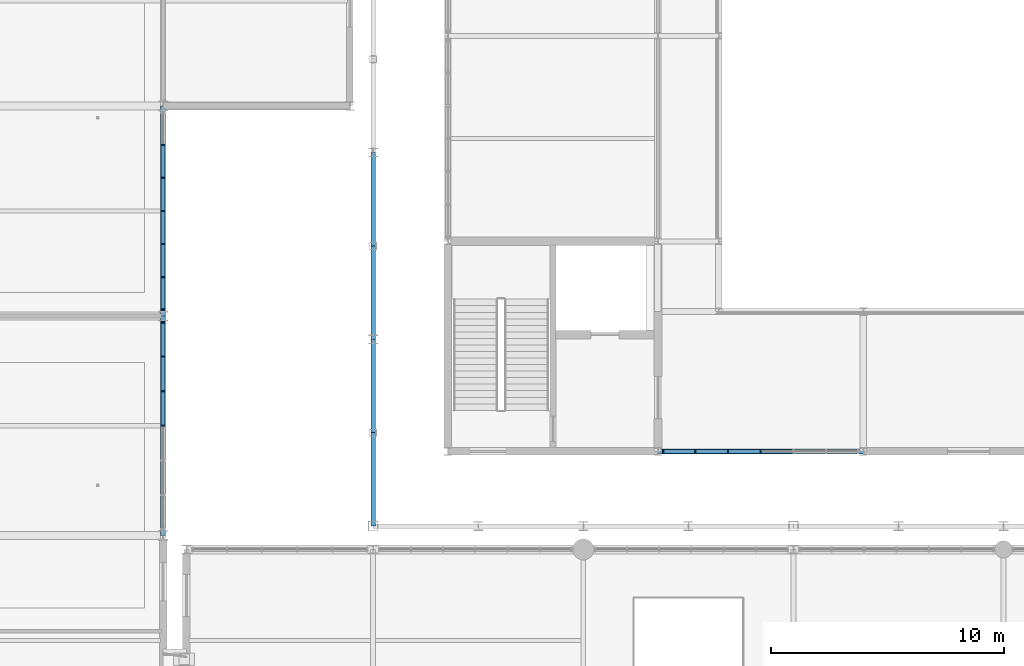
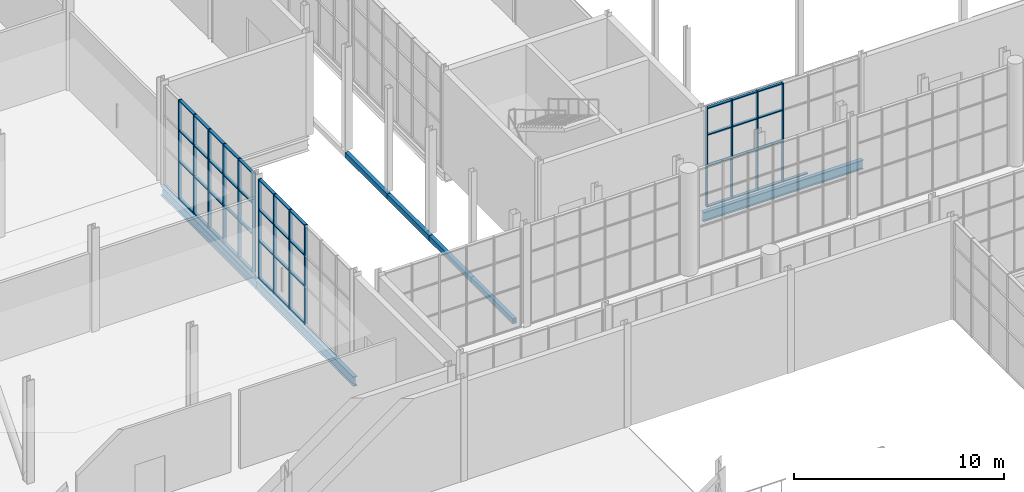
# One storey, part 51 of 159: 59 members, 7 beams, 3 elements without a shape of their own.
"""IFC4 building model written with IfcOpenShell, lengths in metres."""

from ifc_helpers import new_model, si_unit, direction, frame, origin, origin_2d, place, context, subcontext, project, spatial, rectangle, hollow_rectangle, i_section, extrude, material, layer, layer_set, material_profile, profile_set, type_object, element, aggregate, save


model = new_model("IFC4")

# Units and contexts
model_context = context("Model", 3, precision=1e-05, world=origin(), true_north=direction((0.0, 1.0)))
body_context = subcontext(model_context, "Body", "Model", "MODEL_VIEW")
ifc_project = project(units=[si_unit("LENGTHUNIT", "METRE"), si_unit("AREAUNIT", "SQUARE_METRE"), si_unit("VOLUMEUNIT", "CUBIC_METRE"), si_unit("PLANEANGLEUNIT", "RADIAN"), si_unit("MASSUNIT", "GRAM", prefix="KILO")], contexts=[model_context])

# Site, building, storey
site_placement = place(None, origin())
site = spatial("IfcSite", under=ifc_project, at=site_placement, CompositionType="ELEMENT")
building_placement = place(site_placement, origin())
building = spatial("IfcBuilding", under=site, at=building_placement, Name="Cazmaro Siding Exhibition Halls", CompositionType="ELEMENT")
storey_placement = place(building_placement, frame((0.0, 0.0, 6.0)))
storey = spatial("IfcBuildingStorey", under=building, at=storey_placement, Name="L01", CompositionType="ELEMENT", Elevation=6.0)

# Beams
ifc_material_1 = material(Name="Steel ASTM A992 Grade 50", Category="steel")
ifc_material_profile_1 = material_profile(ifc_material_1, i_section(OverallWidth=0.214111328125, OverallDepth=0.549072265625, WebThickness=0.014892578125, FlangeThickness=0.02392578125, at=origin_2d()), Name="W21X93")
ifc_profile_set_1 = profile_set([ifc_material_profile_1], Name="Steel ASTM A992 Grade 50")
beam_type_1 = type_object("IfcBeamType", Name="B-01", PredefinedType="BEAM", material=ifc_profile_set_1)
beam_1_placement = place(storey_placement, frame((36.0, 63.60009765625, -0.493896484375), z_axis=(0.0, 1.0, 0.0), x_axis=(-1.0, 0.0, 0.0)))
element("IfcBeam", 1, at=beam_1_placement, inside=storey, type_object=beam_type_1, Name="Beam B-01 BM-2027", PredefinedType="BEAM", context=body_context, shape_type="SweptSolid", body=[
    extrude(i_section(OverallWidth=0.214111328125, OverallDepth=0.549072265625, WebThickness=0.014892578125, FlangeThickness=0.02392578125, at=origin_2d()), origin(), (0.0, 0.0, 1.0), 9.39990234375),
])
beam_2_placement = place(storey_placement, frame((36.0, 73.0, -0.493896484375), z_axis=(0.0, 1.0, 0.0), x_axis=(-1.0, 0.0, 0.0)))
element("IfcBeam", 2, at=beam_2_placement, inside=storey, type_object=beam_type_1, Name="Beam B-01 BM-2028", PredefinedType="BEAM", context=body_context, shape_type="SweptSolid", body=[
    extrude(i_section(OverallWidth=0.214111328125, OverallDepth=0.549072265625, WebThickness=0.014892578125, FlangeThickness=0.02392578125, at=origin_2d()), origin(), (0.0, 0.0, 1.0), 9.0),
])
ifc_material_2 = material(Name="Steel ASTM A992 Grade 50", Category="steel")
ifc_material_profile_2 = material_profile(ifc_material_2, i_section(OverallWidth=0.2099609375, OverallDepth=0.535888671875, WebThickness=0.010986328125, FlangeThickness=0.01708984375, at=origin_2d()), Name="W21X68")
ifc_profile_set_2 = profile_set([ifc_material_profile_2], Name="Steel ASTM A992 Grade 50")
beam_type_2 = type_object("IfcBeamType", Name="B-02", PredefinedType="BEAM", material=ifc_profile_set_2)
beam_3_placement = place(storey_placement, frame((57.199951171875, 67.199951171875, -0.488037109375), z_axis=(1.0, 0.0, 0.0), x_axis=(0.0, 1.0, 0.0)))
element("IfcBeam", 3, at=beam_3_placement, inside=storey, type_object=beam_type_2, Name="Beam B-02 BM-0314", PredefinedType="BEAM", context=body_context, shape_type="SweptSolid", body=[
    extrude(i_section(OverallWidth=0.2099609375, OverallDepth=0.535888671875, WebThickness=0.010986328125, FlangeThickness=0.01708984375, at=origin_2d()), origin(), (0.0, 0.0, 1.0), 8.800048828125),
])

# Curtain wall, members
ifc_material_3 = material(Name="Anodized Bronze Aluminum and Solar-Control Low-E Glazing", Category="aluminium")
ifc_layer = layer(ifc_material_3, 0.179931640625)
ifc_layer_set = layer_set([ifc_layer], Name="Anodized Bronze Aluminum and Solar-Control Low-E Glazing")
curtain_wall_type = type_object("IfcCurtainWallType", Name="CWS-01", PredefinedType="USERDEFINED", material=ifc_layer_set)
curtain_wall_1_placement = place(storey_placement, origin())
curtain_wall_1 = element("IfcCurtainWall", 4, at=curtain_wall_1_placement, inside=storey, type_object=curtain_wall_type, Name="Glazed Curtain Wall CWS-01 CW-004", ObjectType="GLAZED CURTAIN WALL", PredefinedType="USERDEFINED")
ifc_material_4 = material(Name="Anodized Bronze Extruded Aluminum", Category="aluminium")
ifc_material_profile_3 = material_profile(ifc_material_4, rectangle(XDim=0.179931640625, YDim=0.06005859375, at=origin_2d()), Name="CWM-01")
ifc_profile_set_3 = profile_set([ifc_material_profile_3], Name="Anodized Bronze Extruded Aluminum")
member_type_1 = type_object("IfcMemberType", Name="CWM-01", PredefinedType="MULLION", material=ifc_profile_set_3)
member_1_placement = place(storey_placement, frame((57.427001953125, 67.199951171875, 0.0), z_axis=(0.0, 0.0, 1.0), x_axis=(0.0, 1.0, 0.0)))
member_1 = element("IfcMember", 5, at=member_1_placement, type_object=member_type_1, Name="CWS-01 mullion 1", PredefinedType="MULLION", context=body_context, shape_type="SweptSolid", body=[
    extrude(rectangle(XDim=0.179931640625, YDim=0.06005859375, at=origin_2d()), origin(), (0.0, 0.0, 1.0), 5.780029296875),
])
member_2_placement = place(storey_placement, frame((58.798095703125, 67.199951171875, 0.0), z_axis=(0.0, 0.0, 1.0), x_axis=(0.0, 1.0, 0.0)))
member_2 = element("IfcMember", 6, at=member_2_placement, type_object=member_type_1, Name="CWS-01 mullion 2", PredefinedType="MULLION", context=body_context, shape_type="SweptSolid", body=[
    extrude(rectangle(XDim=0.179931640625, YDim=0.06005859375, at=origin_2d()), origin(), (0.0, 0.0, 1.0), 5.780029296875),
])
member_3_placement = place(storey_placement, frame((60.198974609375, 67.199951171875, 0.0), z_axis=(0.0, 0.0, 1.0), x_axis=(0.0, 1.0, 0.0)))
member_3 = element("IfcMember", 7, at=member_3_placement, type_object=member_type_1, Name="CWS-01 mullion 3", PredefinedType="MULLION", context=body_context, shape_type="SweptSolid", body=[
    extrude(rectangle(XDim=0.179931640625, YDim=0.06005859375, at=origin_2d()), origin(), (0.0, 0.0, 1.0), 5.780029296875),
])
member_4_placement = place(storey_placement, frame((61.60009765625, 67.199951171875, 0.0), z_axis=(0.0, 0.0, 1.0), x_axis=(0.0, 1.0, 0.0)))
member_4 = element("IfcMember", 8, at=member_4_placement, type_object=member_type_1, Name="CWS-01 mullion 4", PredefinedType="MULLION", context=body_context, shape_type="SweptSolid", body=[
    extrude(rectangle(XDim=0.179931640625, YDim=0.06005859375, at=origin_2d()), origin(), (0.0, 0.0, 1.0), 5.780029296875),
])

curtain_wall_2_placement = place(storey_placement, origin())
curtain_wall_2 = element("IfcCurtainWall", 9, at=curtain_wall_2_placement, inside=storey, type_object=curtain_wall_type, Name="Glazed Curtain Wall CWS-01 CW-231", ObjectType="GLAZED CURTAIN WALL", PredefinedType="USERDEFINED")
member_5_placement = place(storey_placement, frame((36.0, 68.300048828125, 0.0), z_axis=(0.0, 0.0, 1.0), x_axis=(-1.0, 0.0, 0.0)))
member_5 = element("IfcMember", 10, at=member_5_placement, type_object=member_type_1, Name="CWS-01 mullion 4", PredefinedType="MULLION", context=body_context, shape_type="SweptSolid", body=[
    extrude(rectangle(XDim=0.179931640625, YDim=0.06005859375, at=origin_2d()), origin(), (0.0, 0.0, 1.0), 5.780029296875),
])
member_6_placement = place(storey_placement, frame((36.0, 69.7822265625, 0.0), z_axis=(0.0, 0.0, 1.0), x_axis=(-1.0, 0.0, 0.0)))
member_6 = element("IfcMember", 11, at=member_6_placement, type_object=member_type_1, Name="CWS-01 mullion 5", PredefinedType="MULLION", context=body_context, shape_type="SweptSolid", body=[
    extrude(rectangle(XDim=0.179931640625, YDim=0.06005859375, at=origin_2d()), origin(), (0.0, 0.0, 1.0), 5.780029296875),
])
member_7_placement = place(storey_placement, frame((36.0, 71.2646484375, 0.0), z_axis=(0.0, 0.0, 1.0), x_axis=(-1.0, 0.0, 0.0)))
member_7 = element("IfcMember", 12, at=member_7_placement, type_object=member_type_1, Name="CWS-01 mullion 6", PredefinedType="MULLION", context=body_context, shape_type="SweptSolid", body=[
    extrude(rectangle(XDim=0.179931640625, YDim=0.06005859375, at=origin_2d()), origin(), (0.0, 0.0, 1.0), 5.780029296875),
])
member_8_placement = place(storey_placement, frame((36.0, 72.717041015625, 0.0), z_axis=(0.0, 0.0, 1.0), x_axis=(-1.0, 0.0, 0.0)))
member_8 = element("IfcMember", 13, at=member_8_placement, type_object=member_type_1, Name="CWS-01 mullion 7", PredefinedType="MULLION", context=body_context, shape_type="SweptSolid", body=[
    extrude(rectangle(XDim=0.179931640625, YDim=0.06005859375, at=origin_2d()), origin(), (0.0, 0.0, 1.0), 5.780029296875),
])

curtain_wall_3_placement = place(storey_placement, origin())
curtain_wall_3 = element("IfcCurtainWall", 14, at=curtain_wall_3_placement, inside=storey, type_object=curtain_wall_type, Name="Glazed Curtain Wall CWS-01 CW-232", ObjectType="GLAZED CURTAIN WALL", PredefinedType="USERDEFINED")
member_9_placement = place(storey_placement, frame((36.0, 73.282958984375, 0.0), z_axis=(0.0, 0.0, 1.0), x_axis=(-1.0, 0.0, 0.0)))
member_9 = element("IfcMember", 15, at=member_9_placement, type_object=member_type_1, Name="CWS-01 mullion 1", PredefinedType="MULLION", context=body_context, shape_type="SweptSolid", body=[
    extrude(rectangle(XDim=0.179931640625, YDim=0.06005859375, at=origin_2d()), origin(), (0.0, 0.0, 1.0), 5.780029296875),
])
member_10_placement = place(storey_placement, frame((36.0, 74.668701171875, 0.0), z_axis=(0.0, 0.0, 1.0), x_axis=(-1.0, 0.0, 0.0)))
member_10 = element("IfcMember", 16, at=member_10_placement, type_object=member_type_1, Name="CWS-01 mullion 2", PredefinedType="MULLION", context=body_context, shape_type="SweptSolid", body=[
    extrude(rectangle(XDim=0.179931640625, YDim=0.06005859375, at=origin_2d()), origin(), (0.0, 0.0, 1.0), 5.780029296875),
])
member_11_placement = place(storey_placement, frame((36.0, 76.084228515625, 0.0), z_axis=(0.0, 0.0, 1.0), x_axis=(-1.0, 0.0, 0.0)))
member_11 = element("IfcMember", 17, at=member_11_placement, type_object=member_type_1, Name="CWS-01 mullion 3", PredefinedType="MULLION", context=body_context, shape_type="SweptSolid", body=[
    extrude(rectangle(XDim=0.179931640625, YDim=0.06005859375, at=origin_2d()), origin(), (0.0, 0.0, 1.0), 5.780029296875),
])
member_12_placement = place(storey_placement, frame((36.0, 77.5, 0.0), z_axis=(0.0, 0.0, 1.0), x_axis=(-1.0, 0.0, 0.0)))
member_12 = element("IfcMember", 18, at=member_12_placement, type_object=member_type_1, Name="CWS-01 mullion 4", PredefinedType="MULLION", context=body_context, shape_type="SweptSolid", body=[
    extrude(rectangle(XDim=0.179931640625, YDim=0.06005859375, at=origin_2d()), origin(), (0.0, 0.0, 1.0), 5.780029296875),
])
member_13_placement = place(storey_placement, frame((36.0, 78.915771484375, 0.0), z_axis=(0.0, 0.0, 1.0), x_axis=(-1.0, 0.0, 0.0)))
member_13 = element("IfcMember", 19, at=member_13_placement, type_object=member_type_1, Name="CWS-01 mullion 5", PredefinedType="MULLION", context=body_context, shape_type="SweptSolid", body=[
    extrude(rectangle(XDim=0.179931640625, YDim=0.06005859375, at=origin_2d()), origin(), (0.0, 0.0, 1.0), 5.780029296875),
])
member_14_placement = place(storey_placement, frame((36.0, 80.331298828125, 0.0), z_axis=(0.0, 0.0, 1.0), x_axis=(-1.0, 0.0, 0.0)))
member_14 = element("IfcMember", 20, at=member_14_placement, type_object=member_type_1, Name="CWS-01 mullion 6", PredefinedType="MULLION", context=body_context, shape_type="SweptSolid", body=[
    extrude(rectangle(XDim=0.179931640625, YDim=0.06005859375, at=origin_2d()), origin(), (0.0, 0.0, 1.0), 5.780029296875),
])

# Member
ifc_material_5 = material(Name="Anodized Bronze Extruded Aluminum", Category="aluminium")
ifc_material_profile_4 = material_profile(ifc_material_5, rectangle(XDim=0.159912109375, YDim=0.06005859375, at=origin_2d()), Name="CWT-01")
ifc_profile_set_4 = profile_set([ifc_material_profile_4], Name="Anodized Bronze Extruded Aluminum")
member_type_2 = type_object("IfcMemberType", Name="CWT-01", PredefinedType="MULLION", material=ifc_profile_set_4)
member_15_placement = place(storey_placement, frame((57.45703125, 67.199951171875, 0.030029296875), z_axis=(1.0, 0.0, 0.0), x_axis=(0.0, 1.0, 0.0)))
member_15 = element("IfcMember", 21, at=member_15_placement, type_object=member_type_2, Name="CWS-01 transom 1.1", ObjectType="TRANSOM", PredefinedType="USERDEFINED", context=body_context, shape_type="SweptSolid", body=[
    extrude(rectangle(XDim=0.159912109375, YDim=0.06005859375, at=origin_2d()), origin(), (0.0, 0.0, 1.0), 1.31103515625),
])

member_16_placement = place(storey_placement, frame((57.45703125, 67.199951171875, 2.39990234375), z_axis=(1.0, 0.0, 0.0), x_axis=(0.0, 1.0, 0.0)))
member_16 = element("IfcMember", 22, at=member_16_placement, type_object=member_type_2, Name="CWS-01 transom 1.2", ObjectType="TRANSOM", PredefinedType="USERDEFINED", context=body_context, shape_type="SweptSolid", body=[
    extrude(rectangle(XDim=0.159912109375, YDim=0.06005859375, at=origin_2d()), origin(), (0.0, 0.0, 1.0), 1.31103515625),
])

member_17_placement = place(storey_placement, frame((57.45703125, 67.199951171875, 4.199951171875), z_axis=(1.0, 0.0, 0.0), x_axis=(0.0, 1.0, 0.0)))
member_17 = element("IfcMember", 23, at=member_17_placement, type_object=member_type_2, Name="CWS-01 transom 1.3", ObjectType="TRANSOM", PredefinedType="USERDEFINED", context=body_context, shape_type="SweptSolid", body=[
    extrude(rectangle(XDim=0.159912109375, YDim=0.06005859375, at=origin_2d()), origin(), (0.0, 0.0, 1.0), 1.31103515625),
])

member_18_placement = place(storey_placement, frame((57.45703125, 67.199951171875, 5.75), z_axis=(1.0, 0.0, 0.0), x_axis=(0.0, 1.0, 0.0)))
member_18 = element("IfcMember", 24, at=member_18_placement, type_object=member_type_2, Name="CWS-01 transom 1.4", ObjectType="TRANSOM", PredefinedType="USERDEFINED", context=body_context, shape_type="SweptSolid", body=[
    extrude(rectangle(XDim=0.159912109375, YDim=0.06005859375, at=origin_2d()), origin(), (0.0, 0.0, 1.0), 1.31103515625),
])

member_19_placement = place(storey_placement, frame((58.827880859375, 67.199951171875, 0.030029296875), z_axis=(1.0, 0.0, 0.0), x_axis=(0.0, 1.0, 0.0)))
member_19 = element("IfcMember", 25, at=member_19_placement, type_object=member_type_2, Name="CWS-01 transom 2.1", ObjectType="TRANSOM", PredefinedType="USERDEFINED", context=body_context, shape_type="SweptSolid", body=[
    extrude(rectangle(XDim=0.159912109375, YDim=0.06005859375, at=origin_2d()), origin(), (0.0, 0.0, 1.0), 1.341064453125),
])

member_20_placement = place(storey_placement, frame((58.827880859375, 67.199951171875, 2.39990234375), z_axis=(1.0, 0.0, 0.0), x_axis=(0.0, 1.0, 0.0)))
member_20 = element("IfcMember", 26, at=member_20_placement, type_object=member_type_2, Name="CWS-01 transom 2.2", ObjectType="TRANSOM", PredefinedType="USERDEFINED", context=body_context, shape_type="SweptSolid", body=[
    extrude(rectangle(XDim=0.159912109375, YDim=0.06005859375, at=origin_2d()), origin(), (0.0, 0.0, 1.0), 1.341064453125),
])

member_21_placement = place(storey_placement, frame((58.827880859375, 67.199951171875, 4.199951171875), z_axis=(1.0, 0.0, 0.0), x_axis=(0.0, 1.0, 0.0)))
member_21 = element("IfcMember", 27, at=member_21_placement, type_object=member_type_2, Name="CWS-01 transom 2.3", ObjectType="TRANSOM", PredefinedType="USERDEFINED", context=body_context, shape_type="SweptSolid", body=[
    extrude(rectangle(XDim=0.159912109375, YDim=0.06005859375, at=origin_2d()), origin(), (0.0, 0.0, 1.0), 1.341064453125),
])

member_22_placement = place(storey_placement, frame((58.827880859375, 67.199951171875, 5.75), z_axis=(1.0, 0.0, 0.0), x_axis=(0.0, 1.0, 0.0)))
member_22 = element("IfcMember", 28, at=member_22_placement, type_object=member_type_2, Name="CWS-01 transom 2.4", ObjectType="TRANSOM", PredefinedType="USERDEFINED", context=body_context, shape_type="SweptSolid", body=[
    extrude(rectangle(XDim=0.159912109375, YDim=0.06005859375, at=origin_2d()), origin(), (0.0, 0.0, 1.0), 1.341064453125),
])

member_23_placement = place(storey_placement, frame((60.22900390625, 67.199951171875, 0.030029296875), z_axis=(1.0, 0.0, 0.0), x_axis=(0.0, 1.0, 0.0)))
member_23 = element("IfcMember", 29, at=member_23_placement, type_object=member_type_2, Name="CWS-01 transom 3.1", ObjectType="TRANSOM", PredefinedType="USERDEFINED", context=body_context, shape_type="SweptSolid", body=[
    extrude(rectangle(XDim=0.159912109375, YDim=0.06005859375, at=origin_2d()), origin(), (0.0, 0.0, 1.0), 1.341064453125),
])

member_24_placement = place(storey_placement, frame((60.22900390625, 67.199951171875, 2.39990234375), z_axis=(1.0, 0.0, 0.0), x_axis=(0.0, 1.0, 0.0)))
member_24 = element("IfcMember", 30, at=member_24_placement, type_object=member_type_2, Name="CWS-01 transom 3.2", ObjectType="TRANSOM", PredefinedType="USERDEFINED", context=body_context, shape_type="SweptSolid", body=[
    extrude(rectangle(XDim=0.159912109375, YDim=0.06005859375, at=origin_2d()), origin(), (0.0, 0.0, 1.0), 1.341064453125),
])

member_25_placement = place(storey_placement, frame((60.22900390625, 67.199951171875, 4.199951171875), z_axis=(1.0, 0.0, 0.0), x_axis=(0.0, 1.0, 0.0)))
member_25 = element("IfcMember", 31, at=member_25_placement, type_object=member_type_2, Name="CWS-01 transom 3.3", ObjectType="TRANSOM", PredefinedType="USERDEFINED", context=body_context, shape_type="SweptSolid", body=[
    extrude(rectangle(XDim=0.159912109375, YDim=0.06005859375, at=origin_2d()), origin(), (0.0, 0.0, 1.0), 1.341064453125),
])

member_26_placement = place(storey_placement, frame((60.22900390625, 67.199951171875, 5.75), z_axis=(1.0, 0.0, 0.0), x_axis=(0.0, 1.0, 0.0)))
member_26 = element("IfcMember", 32, at=member_26_placement, type_object=member_type_2, Name="CWS-01 transom 3.4", ObjectType="TRANSOM", PredefinedType="USERDEFINED", context=body_context, shape_type="SweptSolid", body=[
    extrude(rectangle(XDim=0.159912109375, YDim=0.06005859375, at=origin_2d()), origin(), (0.0, 0.0, 1.0), 1.341064453125),
])

member_27_placement = place(storey_placement, frame((61.6298828125, 67.199951171875, 0.030029296875), z_axis=(1.0, 0.0, 0.0), x_axis=(0.0, 1.0, 0.0)))
member_27 = element("IfcMember", 33, at=member_27_placement, type_object=member_type_2, Name="CWS-01 transom 4.1", ObjectType="TRANSOM", PredefinedType="USERDEFINED", context=body_context, shape_type="SweptSolid", body=[
    extrude(rectangle(XDim=0.159912109375, YDim=0.06005859375, at=origin_2d()), origin(), (0.0, 0.0, 1.0), 1.341064453125),
])

aggregate(curtain_wall_1, [member_1, member_2, member_3, member_4, member_15, member_16, member_17, member_18, member_19, member_20, member_21, member_22, member_23, member_24, member_25, member_26, member_27])

member_28_placement = place(storey_placement, frame((36.0, 68.330078125, 0.030029296875), z_axis=(0.0, 1.0, 0.0), x_axis=(-1.0, 0.0, 0.0)))
member_28 = element("IfcMember", 34, at=member_28_placement, type_object=member_type_2, Name="CWS-01 transom 4.1", ObjectType="TRANSOM", PredefinedType="USERDEFINED", context=body_context, shape_type="SweptSolid", body=[
    extrude(rectangle(XDim=0.159912109375, YDim=0.06005859375, at=origin_2d()), origin(), (0.0, 0.0, 1.0), 1.42236328125),
])

member_29_placement = place(storey_placement, frame((36.0, 68.330078125, 2.199951171875), z_axis=(0.0, 1.0, 0.0), x_axis=(-1.0, 0.0, 0.0)))
member_29 = element("IfcMember", 35, at=member_29_placement, type_object=member_type_2, Name="CWS-01 transom 4.2", ObjectType="TRANSOM", PredefinedType="USERDEFINED", context=body_context, shape_type="SweptSolid", body=[
    extrude(rectangle(XDim=0.159912109375, YDim=0.06005859375, at=origin_2d()), origin(), (0.0, 0.0, 1.0), 1.42236328125),
])

member_30_placement = place(storey_placement, frame((36.0, 68.330078125, 4.0), z_axis=(0.0, 1.0, 0.0), x_axis=(-1.0, 0.0, 0.0)))
member_30 = element("IfcMember", 36, at=member_30_placement, type_object=member_type_2, Name="CWS-01 transom 4.3", ObjectType="TRANSOM", PredefinedType="USERDEFINED", context=body_context, shape_type="SweptSolid", body=[
    extrude(rectangle(XDim=0.159912109375, YDim=0.06005859375, at=origin_2d()), origin(), (0.0, 0.0, 1.0), 1.42236328125),
])

member_31_placement = place(storey_placement, frame((36.0, 68.330078125, 5.75), z_axis=(0.0, 1.0, 0.0), x_axis=(-1.0, 0.0, 0.0)))
member_31 = element("IfcMember", 37, at=member_31_placement, type_object=member_type_2, Name="CWS-01 transom 4.4", ObjectType="TRANSOM", PredefinedType="USERDEFINED", context=body_context, shape_type="SweptSolid", body=[
    extrude(rectangle(XDim=0.159912109375, YDim=0.06005859375, at=origin_2d()), origin(), (0.0, 0.0, 1.0), 1.42236328125),
])

member_32_placement = place(storey_placement, frame((36.0, 69.812255859375, 0.030029296875), z_axis=(0.0, 1.0, 0.0), x_axis=(-1.0, 0.0, 0.0)))
member_32 = element("IfcMember", 38, at=member_32_placement, type_object=member_type_2, Name="CWS-01 transom 5.1", ObjectType="TRANSOM", PredefinedType="USERDEFINED", context=body_context, shape_type="SweptSolid", body=[
    extrude(rectangle(XDim=0.159912109375, YDim=0.06005859375, at=origin_2d()), origin(), (0.0, 0.0, 1.0), 1.42236328125),
])

member_33_placement = place(storey_placement, frame((36.0, 69.812255859375, 2.199951171875), z_axis=(0.0, 1.0, 0.0), x_axis=(-1.0, 0.0, 0.0)))
member_33 = element("IfcMember", 39, at=member_33_placement, type_object=member_type_2, Name="CWS-01 transom 5.2", ObjectType="TRANSOM", PredefinedType="USERDEFINED", context=body_context, shape_type="SweptSolid", body=[
    extrude(rectangle(XDim=0.159912109375, YDim=0.06005859375, at=origin_2d()), origin(), (0.0, 0.0, 1.0), 1.42236328125),
])

member_34_placement = place(storey_placement, frame((36.0, 69.812255859375, 4.0), z_axis=(0.0, 1.0, 0.0), x_axis=(-1.0, 0.0, 0.0)))
member_34 = element("IfcMember", 40, at=member_34_placement, type_object=member_type_2, Name="CWS-01 transom 5.3", ObjectType="TRANSOM", PredefinedType="USERDEFINED", context=body_context, shape_type="SweptSolid", body=[
    extrude(rectangle(XDim=0.159912109375, YDim=0.06005859375, at=origin_2d()), origin(), (0.0, 0.0, 1.0), 1.42236328125),
])

member_35_placement = place(storey_placement, frame((36.0, 69.812255859375, 5.75), z_axis=(0.0, 1.0, 0.0), x_axis=(-1.0, 0.0, 0.0)))
member_35 = element("IfcMember", 41, at=member_35_placement, type_object=member_type_2, Name="CWS-01 transom 5.4", ObjectType="TRANSOM", PredefinedType="USERDEFINED", context=body_context, shape_type="SweptSolid", body=[
    extrude(rectangle(XDim=0.159912109375, YDim=0.06005859375, at=origin_2d()), origin(), (0.0, 0.0, 1.0), 1.42236328125),
])

member_36_placement = place(storey_placement, frame((36.0, 71.294677734375, 0.030029296875), z_axis=(0.0, 1.0, 0.0), x_axis=(-1.0, 0.0, 0.0)))
member_36 = element("IfcMember", 42, at=member_36_placement, type_object=member_type_2, Name="CWS-01 transom 6.1", ObjectType="TRANSOM", PredefinedType="USERDEFINED", context=body_context, shape_type="SweptSolid", body=[
    extrude(rectangle(XDim=0.159912109375, YDim=0.06005859375, at=origin_2d()), origin(), (0.0, 0.0, 1.0), 1.392333984375),
])

member_37_placement = place(storey_placement, frame((36.0, 71.294677734375, 2.199951171875), z_axis=(0.0, 1.0, 0.0), x_axis=(-1.0, 0.0, 0.0)))
member_37 = element("IfcMember", 43, at=member_37_placement, type_object=member_type_2, Name="CWS-01 transom 6.2", ObjectType="TRANSOM", PredefinedType="USERDEFINED", context=body_context, shape_type="SweptSolid", body=[
    extrude(rectangle(XDim=0.159912109375, YDim=0.06005859375, at=origin_2d()), origin(), (0.0, 0.0, 1.0), 1.392333984375),
])

member_38_placement = place(storey_placement, frame((36.0, 71.294677734375, 4.0), z_axis=(0.0, 1.0, 0.0), x_axis=(-1.0, 0.0, 0.0)))
member_38 = element("IfcMember", 44, at=member_38_placement, type_object=member_type_2, Name="CWS-01 transom 6.3", ObjectType="TRANSOM", PredefinedType="USERDEFINED", context=body_context, shape_type="SweptSolid", body=[
    extrude(rectangle(XDim=0.159912109375, YDim=0.06005859375, at=origin_2d()), origin(), (0.0, 0.0, 1.0), 1.392333984375),
])

member_39_placement = place(storey_placement, frame((36.0, 71.294677734375, 5.75), z_axis=(0.0, 1.0, 0.0), x_axis=(-1.0, 0.0, 0.0)))
member_39 = element("IfcMember", 45, at=member_39_placement, type_object=member_type_2, Name="CWS-01 transom 6.4", ObjectType="TRANSOM", PredefinedType="USERDEFINED", context=body_context, shape_type="SweptSolid", body=[
    extrude(rectangle(XDim=0.159912109375, YDim=0.06005859375, at=origin_2d()), origin(), (0.0, 0.0, 1.0), 1.392333984375),
])

aggregate(curtain_wall_2, [member_5, member_6, member_7, member_8, member_28, member_29, member_30, member_31, member_32, member_33, member_34, member_35, member_36, member_37, member_38, member_39])

member_40_placement = place(storey_placement, frame((36.0, 73.31298828125, 0.030029296875), z_axis=(0.0, 1.0, 0.0), x_axis=(-1.0, 0.0, 0.0)))
member_40 = element("IfcMember", 46, at=member_40_placement, type_object=member_type_2, Name="CWS-01 transom 1.1", ObjectType="TRANSOM", PredefinedType="USERDEFINED", context=body_context, shape_type="SweptSolid", body=[
    extrude(rectangle(XDim=0.159912109375, YDim=0.06005859375, at=origin_2d()), origin(), (0.0, 0.0, 1.0), 1.32568359375),
])

member_41_placement = place(storey_placement, frame((36.0, 73.31298828125, 2.199951171875), z_axis=(0.0, 1.0, 0.0), x_axis=(-1.0, 0.0, 0.0)))
member_41 = element("IfcMember", 47, at=member_41_placement, type_object=member_type_2, Name="CWS-01 transom 1.2", ObjectType="TRANSOM", PredefinedType="USERDEFINED", context=body_context, shape_type="SweptSolid", body=[
    extrude(rectangle(XDim=0.159912109375, YDim=0.06005859375, at=origin_2d()), origin(), (0.0, 0.0, 1.0), 1.32568359375),
])

member_42_placement = place(storey_placement, frame((36.0, 73.31298828125, 4.0), z_axis=(0.0, 1.0, 0.0), x_axis=(-1.0, 0.0, 0.0)))
member_42 = element("IfcMember", 48, at=member_42_placement, type_object=member_type_2, Name="CWS-01 transom 1.3", ObjectType="TRANSOM", PredefinedType="USERDEFINED", context=body_context, shape_type="SweptSolid", body=[
    extrude(rectangle(XDim=0.159912109375, YDim=0.06005859375, at=origin_2d()), origin(), (0.0, 0.0, 1.0), 1.32568359375),
])

member_43_placement = place(storey_placement, frame((36.0, 73.31298828125, 5.75), z_axis=(0.0, 1.0, 0.0), x_axis=(-1.0, 0.0, 0.0)))
member_43 = element("IfcMember", 49, at=member_43_placement, type_object=member_type_2, Name="CWS-01 transom 1.4", ObjectType="TRANSOM", PredefinedType="USERDEFINED", context=body_context, shape_type="SweptSolid", body=[
    extrude(rectangle(XDim=0.159912109375, YDim=0.06005859375, at=origin_2d()), origin(), (0.0, 0.0, 1.0), 1.32568359375),
])

member_44_placement = place(storey_placement, frame((36.0, 74.69873046875, 0.030029296875), z_axis=(0.0, 1.0, 0.0), x_axis=(-1.0, 0.0, 0.0)))
member_44 = element("IfcMember", 50, at=member_44_placement, type_object=member_type_2, Name="CWS-01 transom 2.1", ObjectType="TRANSOM", PredefinedType="USERDEFINED", context=body_context, shape_type="SweptSolid", body=[
    extrude(rectangle(XDim=0.159912109375, YDim=0.06005859375, at=origin_2d()), origin(), (0.0, 0.0, 1.0), 1.355712890625),
])

member_45_placement = place(storey_placement, frame((36.0, 74.69873046875, 2.199951171875), z_axis=(0.0, 1.0, 0.0), x_axis=(-1.0, 0.0, 0.0)))
member_45 = element("IfcMember", 51, at=member_45_placement, type_object=member_type_2, Name="CWS-01 transom 2.2", ObjectType="TRANSOM", PredefinedType="USERDEFINED", context=body_context, shape_type="SweptSolid", body=[
    extrude(rectangle(XDim=0.159912109375, YDim=0.06005859375, at=origin_2d()), origin(), (0.0, 0.0, 1.0), 1.355712890625),
])

member_46_placement = place(storey_placement, frame((36.0, 74.69873046875, 4.0), z_axis=(0.0, 1.0, 0.0), x_axis=(-1.0, 0.0, 0.0)))
member_46 = element("IfcMember", 52, at=member_46_placement, type_object=member_type_2, Name="CWS-01 transom 2.3", ObjectType="TRANSOM", PredefinedType="USERDEFINED", context=body_context, shape_type="SweptSolid", body=[
    extrude(rectangle(XDim=0.159912109375, YDim=0.06005859375, at=origin_2d()), origin(), (0.0, 0.0, 1.0), 1.355712890625),
])

member_47_placement = place(storey_placement, frame((36.0, 74.69873046875, 5.75), z_axis=(0.0, 1.0, 0.0), x_axis=(-1.0, 0.0, 0.0)))
member_47 = element("IfcMember", 53, at=member_47_placement, type_object=member_type_2, Name="CWS-01 transom 2.4", ObjectType="TRANSOM", PredefinedType="USERDEFINED", context=body_context, shape_type="SweptSolid", body=[
    extrude(rectangle(XDim=0.159912109375, YDim=0.06005859375, at=origin_2d()), origin(), (0.0, 0.0, 1.0), 1.355712890625),
])

member_48_placement = place(storey_placement, frame((36.0, 76.1142578125, 0.030029296875), z_axis=(0.0, 1.0, 0.0), x_axis=(-1.0, 0.0, 0.0)))
member_48 = element("IfcMember", 54, at=member_48_placement, type_object=member_type_2, Name="CWS-01 transom 3.1", ObjectType="TRANSOM", PredefinedType="USERDEFINED", context=body_context, shape_type="SweptSolid", body=[
    extrude(rectangle(XDim=0.159912109375, YDim=0.06005859375, at=origin_2d()), origin(), (0.0, 0.0, 1.0), 1.355712890625),
])

member_49_placement = place(storey_placement, frame((36.0, 76.1142578125, 2.199951171875), z_axis=(0.0, 1.0, 0.0), x_axis=(-1.0, 0.0, 0.0)))
member_49 = element("IfcMember", 55, at=member_49_placement, type_object=member_type_2, Name="CWS-01 transom 3.2", ObjectType="TRANSOM", PredefinedType="USERDEFINED", context=body_context, shape_type="SweptSolid", body=[
    extrude(rectangle(XDim=0.159912109375, YDim=0.06005859375, at=origin_2d()), origin(), (0.0, 0.0, 1.0), 1.355712890625),
])

member_50_placement = place(storey_placement, frame((36.0, 76.1142578125, 4.0), z_axis=(0.0, 1.0, 0.0), x_axis=(-1.0, 0.0, 0.0)))
member_50 = element("IfcMember", 56, at=member_50_placement, type_object=member_type_2, Name="CWS-01 transom 3.3", ObjectType="TRANSOM", PredefinedType="USERDEFINED", context=body_context, shape_type="SweptSolid", body=[
    extrude(rectangle(XDim=0.159912109375, YDim=0.06005859375, at=origin_2d()), origin(), (0.0, 0.0, 1.0), 1.355712890625),
])

member_51_placement = place(storey_placement, frame((36.0, 76.1142578125, 5.75), z_axis=(0.0, 1.0, 0.0), x_axis=(-1.0, 0.0, 0.0)))
member_51 = element("IfcMember", 57, at=member_51_placement, type_object=member_type_2, Name="CWS-01 transom 3.4", ObjectType="TRANSOM", PredefinedType="USERDEFINED", context=body_context, shape_type="SweptSolid", body=[
    extrude(rectangle(XDim=0.159912109375, YDim=0.06005859375, at=origin_2d()), origin(), (0.0, 0.0, 1.0), 1.355712890625),
])

member_52_placement = place(storey_placement, frame((36.0, 77.530029296875, 0.030029296875), z_axis=(0.0, 1.0, 0.0), x_axis=(-1.0, 0.0, 0.0)))
member_52 = element("IfcMember", 58, at=member_52_placement, type_object=member_type_2, Name="CWS-01 transom 4.1", ObjectType="TRANSOM", PredefinedType="USERDEFINED", context=body_context, shape_type="SweptSolid", body=[
    extrude(rectangle(XDim=0.159912109375, YDim=0.06005859375, at=origin_2d()), origin(), (0.0, 0.0, 1.0), 1.355712890625),
])

member_53_placement = place(storey_placement, frame((36.0, 77.530029296875, 2.199951171875), z_axis=(0.0, 1.0, 0.0), x_axis=(-1.0, 0.0, 0.0)))
member_53 = element("IfcMember", 59, at=member_53_placement, type_object=member_type_2, Name="CWS-01 transom 4.2", ObjectType="TRANSOM", PredefinedType="USERDEFINED", context=body_context, shape_type="SweptSolid", body=[
    extrude(rectangle(XDim=0.159912109375, YDim=0.06005859375, at=origin_2d()), origin(), (0.0, 0.0, 1.0), 1.355712890625),
])

member_54_placement = place(storey_placement, frame((36.0, 77.530029296875, 4.0), z_axis=(0.0, 1.0, 0.0), x_axis=(-1.0, 0.0, 0.0)))
member_54 = element("IfcMember", 60, at=member_54_placement, type_object=member_type_2, Name="CWS-01 transom 4.3", ObjectType="TRANSOM", PredefinedType="USERDEFINED", context=body_context, shape_type="SweptSolid", body=[
    extrude(rectangle(XDim=0.159912109375, YDim=0.06005859375, at=origin_2d()), origin(), (0.0, 0.0, 1.0), 1.355712890625),
])

member_55_placement = place(storey_placement, frame((36.0, 77.530029296875, 5.75), z_axis=(0.0, 1.0, 0.0), x_axis=(-1.0, 0.0, 0.0)))
member_55 = element("IfcMember", 61, at=member_55_placement, type_object=member_type_2, Name="CWS-01 transom 4.4", ObjectType="TRANSOM", PredefinedType="USERDEFINED", context=body_context, shape_type="SweptSolid", body=[
    extrude(rectangle(XDim=0.159912109375, YDim=0.06005859375, at=origin_2d()), origin(), (0.0, 0.0, 1.0), 1.355712890625),
])

member_56_placement = place(storey_placement, frame((36.0, 78.945556640625, 0.030029296875), z_axis=(0.0, 1.0, 0.0), x_axis=(-1.0, 0.0, 0.0)))
member_56 = element("IfcMember", 62, at=member_56_placement, type_object=member_type_2, Name="CWS-01 transom 5.1", ObjectType="TRANSOM", PredefinedType="USERDEFINED", context=body_context, shape_type="SweptSolid", body=[
    extrude(rectangle(XDim=0.159912109375, YDim=0.06005859375, at=origin_2d()), origin(), (0.0, 0.0, 1.0), 1.355712890625),
])

member_57_placement = place(storey_placement, frame((36.0, 78.945556640625, 2.199951171875), z_axis=(0.0, 1.0, 0.0), x_axis=(-1.0, 0.0, 0.0)))
member_57 = element("IfcMember", 63, at=member_57_placement, type_object=member_type_2, Name="CWS-01 transom 5.2", ObjectType="TRANSOM", PredefinedType="USERDEFINED", context=body_context, shape_type="SweptSolid", body=[
    extrude(rectangle(XDim=0.159912109375, YDim=0.06005859375, at=origin_2d()), origin(), (0.0, 0.0, 1.0), 1.355712890625),
])

member_58_placement = place(storey_placement, frame((36.0, 78.945556640625, 4.0), z_axis=(0.0, 1.0, 0.0), x_axis=(-1.0, 0.0, 0.0)))
member_58 = element("IfcMember", 64, at=member_58_placement, type_object=member_type_2, Name="CWS-01 transom 5.3", ObjectType="TRANSOM", PredefinedType="USERDEFINED", context=body_context, shape_type="SweptSolid", body=[
    extrude(rectangle(XDim=0.159912109375, YDim=0.06005859375, at=origin_2d()), origin(), (0.0, 0.0, 1.0), 1.355712890625),
])

member_59_placement = place(storey_placement, frame((36.0, 78.945556640625, 5.75), z_axis=(0.0, 1.0, 0.0), x_axis=(-1.0, 0.0, 0.0)))
member_59 = element("IfcMember", 65, at=member_59_placement, type_object=member_type_2, Name="CWS-01 transom 5.4", ObjectType="TRANSOM", PredefinedType="USERDEFINED", context=body_context, shape_type="SweptSolid", body=[
    extrude(rectangle(XDim=0.159912109375, YDim=0.06005859375, at=origin_2d()), origin(), (0.0, 0.0, 1.0), 1.355712890625),
])

aggregate(curtain_wall_3, [member_9, member_10, member_11, member_12, member_13, member_14, member_40, member_41, member_42, member_43, member_44, member_45, member_46, member_47, member_48, member_49, member_50, member_51, member_52, member_53, member_54, member_55, member_56, member_57, member_58, member_59])

# Beams
ifc_material_6 = material(Name="Steel ASTM A500 Grade C", Category="steel")
ifc_material_profile_5 = material_profile(ifc_material_6, hollow_rectangle(XDim=0.202880859375, YDim=0.304931640625, WallThickness=0.011962890625, at=origin_2d()), Name="HSS12X8X1/2")
ifc_profile_set_5 = profile_set([ifc_material_profile_5], Name="Steel ASTM A500 Grade C")
beam_type_3 = type_object("IfcBeamType", Name="SP-01", PredefinedType="SPANDREL", material=ifc_profile_set_5)
for number, where, z_axis, x_axis, name in (
    (66, (45.0, 64.0, -0.3720703125), (0.0, 1.0, 0.0), (-1.0, 0.0, 0.0), "Beam SP-01 BM-0001"),
    (67, (45.0, 68.0, -0.3720703125), (0.0, 1.0, 0.0), (-1.0, 0.0, 0.0), "Beam SP-01 BM-0003"),
    (68, (45.0, 72.0, -0.3720703125), (0.0, 1.0, 0.0), (-1.0, 0.0, 0.0), "Beam SP-01 BM-0005"),
    (69, (45.0, 76.0, -0.3720703125), (0.0, 1.0, 0.0), (-1.0, 0.0, 0.0), "Beam SP-01 BM-0007"),
):
    element("IfcBeam", number, at=place(storey_placement, frame(where, z_axis=z_axis, x_axis=x_axis)), inside=storey, type_object=beam_type_3, Name=name, PredefinedType="SPANDREL", context=body_context, shape_type="SweptSolid", body=[
        extrude(hollow_rectangle(XDim=0.202880859375, YDim=0.304931640625, WallThickness=0.011962890625, at=origin_2d()), origin(), (0.0, 0.0, 1.0), 4.0),
    ])

save(model, "model.ifc")
